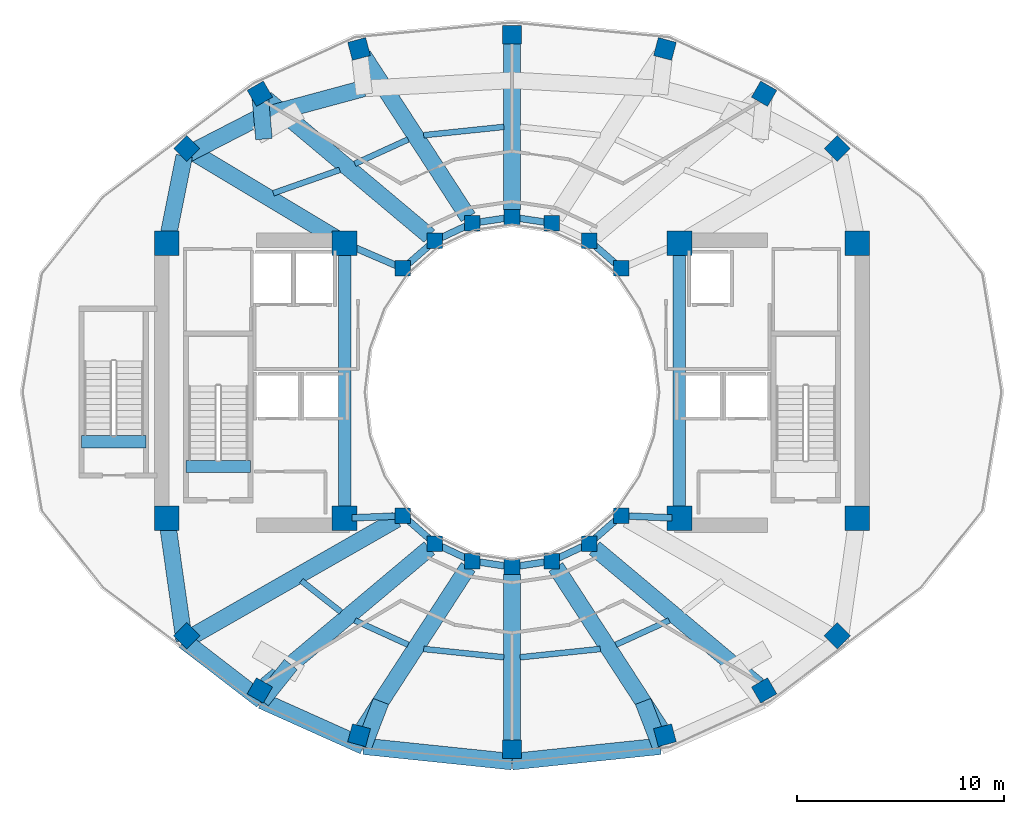
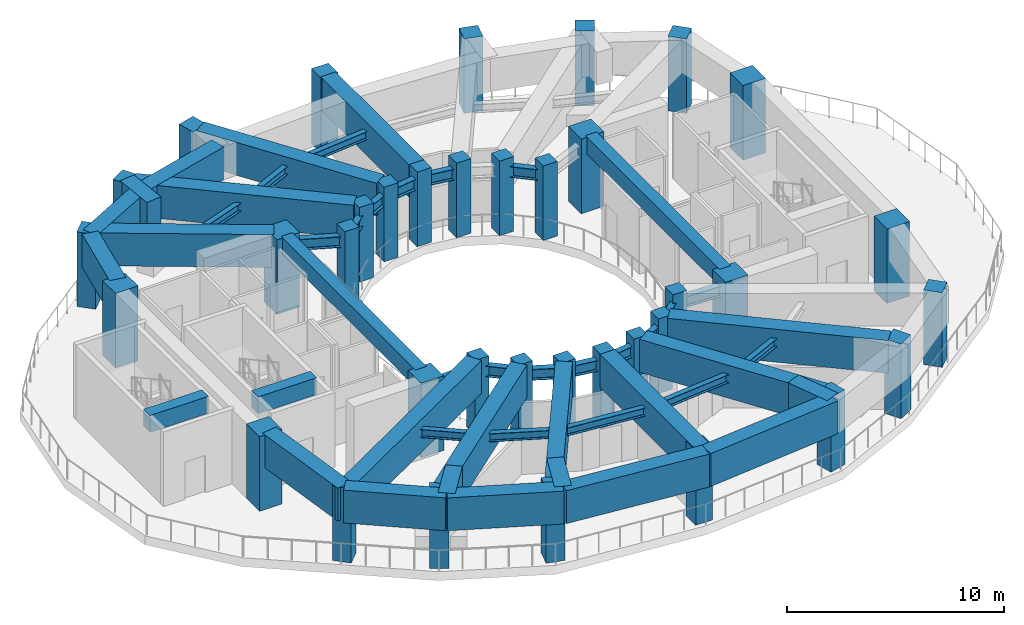
# One storey, part 1 of 9: 48 beams, 36 columns.
"""IFC4 building model written with IfcOpenShell, lengths in metres."""

from ifc_helpers import new_model, si_unit, direction, frame, origin, origin_2d, place, context, subcontext, project, spatial, rectangle, i_section, extrude, material, material_profile, profile_set, type_object, element, save


model = new_model("IFC4")

# Units and contexts
model_context = context("Model", 3, precision=1e-05, world=origin(), true_north=direction((0.0, 1.0)))
body_context = subcontext(model_context, "Body", "Model", "MODEL_VIEW")
ifc_project = project(units=[si_unit("LENGTHUNIT", "METRE"), si_unit("AREAUNIT", "SQUARE_METRE"), si_unit("VOLUMEUNIT", "CUBIC_METRE"), si_unit("PLANEANGLEUNIT", "RADIAN"), si_unit("MASSUNIT", "GRAM", prefix="KILO")], contexts=[model_context])

# Site, building, storey
site_placement = place(None, origin())
site = spatial("IfcSite", under=ifc_project, at=site_placement, CompositionType="ELEMENT")
building_placement = place(site_placement, origin())
building = spatial("IfcBuilding", under=site, at=building_placement, Name="Solvane Sanctuary Tower", CompositionType="ELEMENT")
storey_placement = place(building_placement, frame((0.0, 0.0, 133.199951171875)))
storey = spatial("IfcBuildingStorey", under=building, at=storey_placement, Name="L40", CompositionType="ELEMENT", Elevation=133.199951171875)

# Columns
ifc_material_1 = material(Name="Concrete C50/60", Category="concrete")
ifc_material_profile_1 = material_profile(ifc_material_1, rectangle(XDim=0.75, YDim=0.75, at=origin_2d()), Name="RC750X750")
ifc_profile_set_1 = profile_set([ifc_material_profile_1], Name="Concrete C50/60")
column_type_1 = type_object("IfcColumnType", Name="Column C-RING-Z3 RC750X750", PredefinedType="COLUMN", material=ifc_profile_set_1)
for number, where, z_axis, x_axis, name in (
    (1, (37.27490234375, 28.982177734375, 0.0), (0.0, 0.0, 1.0), (1.0, 0.0, 0.0), "L40 Inner Light-Well Ring Column IC01"),
    (2, (35.72998046875, 30.32666015625, 0.0), (0.0, 0.0, 1.0), (1.0, 0.0, 0.0), "L40 Inner Light-Well Ring Column IC02"),
    (3, (33.930908203125, 31.171630859375, 0.0), (0.0, 0.0, 1.0), (1.0, 0.0, 0.0), "L40 Inner Light-Well Ring Column IC03"),
    (4, (32.0, 31.4599609375, 0.0), (0.0, 0.0, 1.0), (1.0, 0.0, 0.0), "L40 Inner Light-Well Ring Column IC04"),
    (5, (30.069091796875, 31.171630859375, 0.0), (0.0, 0.0, 1.0), (1.0, 0.0, 0.0), "L40 Inner Light-Well Ring Column IC05"),
    (6, (28.27001953125, 30.32666015625, 0.0), (0.0, 0.0, 1.0), (1.0, 0.0, 0.0), "L40 Inner Light-Well Ring Column IC06"),
    (7, (26.72509765625, 28.982177734375, 0.0), (0.0, 0.0, 1.0), (1.0, 0.0, 0.0), "L40 Inner Light-Well Ring Column IC07"),
    (8, (26.72509765625, 17.017822265625, 0.0), (0.0, 0.0, 1.0), (1.0, 0.0, 0.0), "L40 Inner Light-Well Ring Column IC08"),
    (9, (28.27001953125, 15.67333984375, 0.0), (0.0, 0.0, 1.0), (1.0, 0.0, 0.0), "L40 Inner Light-Well Ring Column IC09"),
    (10, (30.069091796875, 14.828369140625, 0.0), (0.0, 0.0, 1.0), (1.0, 0.0, 0.0), "L40 Inner Light-Well Ring Column IC10"),
    (11, (32.0, 14.5400390625, 0.0), (0.0, 0.0, 1.0), (1.0, 0.0, 0.0), "L40 Inner Light-Well Ring Column IC11"),
    (12, (33.930908203125, 14.828369140625, 0.0), (0.0, 0.0, 1.0), (1.0, 0.0, 0.0), "L40 Inner Light-Well Ring Column IC12"),
    (13, (35.72998046875, 15.67333984375, 0.0), (0.0, 0.0, 1.0), (1.0, 0.0, 0.0), "L40 Inner Light-Well Ring Column IC13"),
    (14, (37.27490234375, 17.017822265625, 0.0), (0.0, 0.0, 1.0), (1.0, 0.0, 0.0), "L40 Inner Light-Well Ring Column IC14"),
):
    element("IfcColumn", number, at=place(storey_placement, frame(where, z_axis=z_axis, x_axis=x_axis)), inside=storey, type_object=column_type_1, Name=name, PredefinedType="COLUMN", context=body_context, shape_type="SweptSolid", body=[
        extrude(rectangle(XDim=0.75, YDim=0.75, at=origin_2d()), origin(), (0.0, 0.0, 1.0), 4.199951171875),
    ])
ifc_material_2 = material(Name="Concrete C70/85", Category="concrete")
ifc_material_profile_2 = material_profile(ifc_material_2, rectangle(XDim=1.199951171875, YDim=1.199951171875, at=origin_2d()), Name="RC1200X1200")
ifc_profile_set_2 = profile_set([ifc_material_profile_2], Name="Concrete C70/85")
column_type_2 = type_object("IfcColumnType", Name="Column C-TUBE-Z1 RC1200X1200", PredefinedType="COLUMN", material=ifc_profile_set_2)
for number, where, z_axis, x_axis, name in (
    (15, (15.300048828125, 16.89990234375, 0.0), (0.0, 0.0, 1.0), (1.0, 0.0, 0.0), "L40 Core Corner Column CW1"),
    (16, (23.89990234375, 16.89990234375, 0.0), (0.0, 0.0, 1.0), (1.0, 0.0, 0.0), "L40 Core Corner Column CW2"),
    (17, (23.89990234375, 30.199951171875, 0.0), (0.0, 0.0, 1.0), (1.0, 0.0, 0.0), "L40 Core Corner Column CW3"),
    (18, (15.300048828125, 30.199951171875, 0.0), (0.0, 0.0, 1.0), (1.0, 0.0, 0.0), "L40 Core Corner Column CW4"),
    (19, (40.10009765625, 16.89990234375, 0.0), (0.0, 0.0, 1.0), (1.0, 0.0, 0.0), "L40 Core Corner Column CE1"),
    (20, (48.699951171875, 16.89990234375, 0.0), (0.0, 0.0, 1.0), (1.0, 0.0, 0.0), "L40 Core Corner Column CE2"),
    (21, (48.699951171875, 30.199951171875, 0.0), (0.0, 0.0, 1.0), (1.0, 0.0, 0.0), "L40 Core Corner Column CE3"),
    (22, (40.10009765625, 30.199951171875, 0.0), (0.0, 0.0, 1.0), (1.0, 0.0, 0.0), "L40 Core Corner Column CE4"),
):
    element("IfcColumn", number, at=place(storey_placement, frame(where, z_axis=z_axis, x_axis=x_axis)), inside=storey, type_object=column_type_2, Name=name, PredefinedType="COLUMN", context=body_context, shape_type="SweptSolid", body=[
        extrude(rectangle(XDim=1.199951171875, YDim=1.199951171875, at=origin_2d()), origin(), (0.0, 0.0, 1.0), 4.199951171875),
    ])
ifc_material_3 = material(Name="Concrete C60/75", Category="concrete")
ifc_material_profile_3 = material_profile(ifc_material_3, rectangle(XDim=0.89990234375, YDim=0.89990234375, at=origin_2d()), Name="RC900X900")
ifc_profile_set_3 = profile_set([ifc_material_profile_3], Name="Concrete C60/75")
column_type_3 = type_object("IfcColumnType", Name="Column C-TUBE-Z3 RC900X900", PredefinedType="COLUMN", material=ifc_profile_set_3)
for number, where, z_axis, x_axis, name in (
    (23, (47.734375, 34.7802734375, 0.0), (0.0, 0.0, 1.0), (0.707106781187, 0.707106781187, 0.0), "L40 Perimeter Tube Column TC01"),
    (24, (44.196044921875, 37.431884765625, 0.0), (0.0, 0.0, 1.0), (0.5, 0.866025403784, 0.0), "L40 Perimeter Tube Column TC02"),
    (25, (39.398681640625, 39.59912109375, 0.0), (0.0, 0.0, 1.0), (0.258819045103, 0.965925826289, 0.0), "L40 Perimeter Tube Column TC03"),
    (26, (32.0, 40.280029296875, 0.0), (0.0, 0.0, 1.0), (0.0, 1.0, 0.0), "L40 Perimeter Tube Column TC04"),
    (27, (24.601318359375, 39.59912109375, 0.0), (0.0, 0.0, 1.0), (-0.258819045103, 0.965925826289, 0.0), "L40 Perimeter Tube Column TC05"),
    (28, (19.803955078125, 37.431884765625, 0.0), (0.0, 0.0, 1.0), (-0.5, 0.866025403784, 0.0), "L40 Perimeter Tube Column TC06"),
    (29, (16.265625, 34.7802734375, 0.0), (0.0, 0.0, 1.0), (-0.707106781187, 0.707106781187, 0.0), "L40 Perimeter Tube Column TC07"),
    (30, (16.265625, 11.2197265625, 0.0), (0.0, 0.0, 1.0), (-0.707106781187, -0.707106781187, 0.0), "L40 Perimeter Tube Column TC08"),
    (31, (19.803955078125, 8.568115234375, 0.0), (0.0, 0.0, 1.0), (-0.5, -0.866025403784, 0.0), "L40 Perimeter Tube Column TC09"),
    (32, (24.601318359375, 6.40087890625, 0.0), (0.0, 0.0, 1.0), (-0.258819045103, -0.965925826289, 0.0), "L40 Perimeter Tube Column TC10"),
    (33, (32.0, 5.719970703125, 0.0), (0.0, 0.0, 1.0), (0.0, -1.0, 0.0), "L40 Perimeter Tube Column TC11"),
    (34, (39.398681640625, 6.40087890625, 0.0), (0.0, 0.0, 1.0), (0.258819045103, -0.965925826289, 0.0), "L40 Perimeter Tube Column TC12"),
    (35, (44.196044921875, 8.568115234375, 0.0), (0.0, 0.0, 1.0), (0.5, -0.866025403784, 0.0), "L40 Perimeter Tube Column TC13"),
    (36, (47.734375, 11.2197265625, 0.0), (0.0, 0.0, 1.0), (0.707106781187, -0.707106781187, 0.0), "L40 Perimeter Tube Column TC14"),
):
    element("IfcColumn", number, at=place(storey_placement, frame(where, z_axis=z_axis, x_axis=x_axis)), inside=storey, type_object=column_type_3, Name=name, PredefinedType="COLUMN", context=body_context, shape_type="SweptSolid", body=[
        extrude(rectangle(XDim=0.89990234375, YDim=0.89990234375, at=origin_2d()), origin(), (0.0, 0.0, 1.0), 4.199951171875),
    ])

# Beams
ifc_material_profile_4 = material_profile(ifc_material_2, rectangle(XDim=0.60009765625, YDim=0.949951171875, at=origin_2d()), Name="RC600X950")
ifc_profile_set_4 = profile_set([ifc_material_profile_4], Name="Concrete C70/85")
beam_type_1 = type_object("IfcBeamType", Name="Beam B-COUPLE RC600X950", PredefinedType="LINTEL", material=ifc_profile_set_4)
for number, where, z_axis, x_axis, name in (
    (37, (23.89990234375, 17.35009765625, 3.72509765625), (0.0, 1.0, 0.0), (-1.0, 0.0, 0.0), "L40 West Core Coupling Lintel"),
    (38, (40.10009765625, 17.35009765625, 3.72509765625), (0.0, 1.0, 0.0), (-1.0, 0.0, 0.0), "L40 East Core Coupling Lintel"),
):
    element("IfcBeam", number, at=place(storey_placement, frame(where, z_axis=z_axis, x_axis=x_axis)), inside=storey, type_object=beam_type_1, Name=name, PredefinedType="LINTEL", context=body_context, shape_type="SweptSolid", body=[
        extrude(rectangle(XDim=0.60009765625, YDim=0.949951171875, at=origin_2d()), origin(), (0.0, 0.0, 1.0), 12.39990234375),
    ])
for number, where, z_axis, x_axis, name in (
    (39, (16.22998046875, 19.399169921875, 3.72509765625), (1.0, 0.0, 0.0), (0.0, 1.0, 0.0), "L40 ST-1 Stair Floor Landing Trimmer"),
    (40, (11.169921875, 20.59912109375, 3.72509765625), (1.0, 0.0, 0.0), (0.0, 1.0, 0.0), "L40 ST-3 Stair Floor Landing Trimmer"),
):
    element("IfcBeam", number, at=place(storey_placement, frame(where, z_axis=z_axis, x_axis=x_axis)), inside=storey, type_object=beam_type_1, Name=name, PredefinedType="LINTEL", context=body_context, shape_type="SweptSolid", body=[
        extrude(rectangle(XDim=0.60009765625, YDim=0.949951171875, at=origin_2d()), origin(), (0.0, 0.0, 1.0), 3.1201171875),
    ])
ifc_material_4 = material(Name="Steel ASTM A992 Grade 50", Category="steel")
ifc_material_profile_5 = material_profile(ifc_material_4, i_section(OverallWidth=0.324951171875, OverallDepth=0.615966796875, WebThickness=0.013916015625, FlangeThickness=0.021484375, FilletRadius=0.01611328125, at=origin_2d()), Name="W24X117")
ifc_profile_set_5 = profile_set([ifc_material_profile_5], Name="Steel ASTM A992 Grade 50")
beam_type_2 = type_object("IfcBeamType", Name="Beam B-RING-IN2 W24X117", PredefinedType="BEAM", material=ifc_profile_set_5)
beam_1_placement = place(storey_placement, frame((24.230712890625, 30.0576171875, 3.39013671875), z_axis=(0.918264067649, -0.395968561966, 0.0), x_axis=(0.395968561966, 0.918264067649, 0.0)))
element("IfcBeam", 41, at=beam_1_placement, inside=storey, type_object=beam_type_2, Name="L40 Inner Light-Well Ring Beam CW3-IC07", PredefinedType="BEAM", context=body_context, shape_type="SweptSolid", body=[
    extrude(i_section(OverallWidth=0.324951171875, OverallDepth=0.615966796875, WebThickness=0.013916015625, FlangeThickness=0.021484375, FilletRadius=0.01611328125, at=origin_2d()), origin(), (0.0, 0.0, 1.0), 2.371337890625),
])
beam_2_placement = place(storey_placement, frame((26.9853515625, 29.20849609375, 3.39013671875), z_axis=(0.754311313851, 0.656516901379, 0.0), x_axis=(-0.656516901379, 0.754311313851, 0.0)))
element("IfcBeam", 42, at=beam_2_placement, inside=storey, type_object=beam_type_2, Name="L40 Inner Light-Well Ring Beam IC07-IC06", PredefinedType="BEAM", context=body_context, shape_type="SweptSolid", body=[
    extrude(i_section(OverallWidth=0.324951171875, OverallDepth=0.615966796875, WebThickness=0.013916015625, FlangeThickness=0.021484375, FilletRadius=0.01611328125, at=origin_2d()), origin(), (0.0, 0.0, 1.0), 1.358154296875),
])
beam_3_placement = place(storey_placement, frame((28.582275390625, 30.473388671875, 3.39013671875), z_axis=(0.9051808128, 0.425026700502, 0.0), x_axis=(-0.425026700502, 0.9051808128, 0.0)))
element("IfcBeam", 43, at=beam_3_placement, inside=storey, type_object=beam_type_2, Name="L40 Inner Light-Well Ring Beam IC06-IC05", PredefinedType="BEAM", context=body_context, shape_type="SweptSolid", body=[
    extrude(i_section(OverallWidth=0.324951171875, OverallDepth=0.615966796875, WebThickness=0.013916015625, FlangeThickness=0.021484375, FilletRadius=0.01611328125, at=origin_2d()), origin(), (0.0, 0.0, 1.0), 1.297607421875),
])
for number, where, z_axis, x_axis, name in (
    (44, (30.410400390625, 31.22265625, 3.39013671875), (0.989019905763, 0.147782360259, 0.0), (-0.147782360259, 0.989019905763, 0.0), "L40 Inner Light-Well Ring Beam IC05-IC04"),
    (45, (32.34130859375, 31.4091796875, 3.39013671875), (0.989019905763, -0.147782360259, 0.0), (0.147782360259, 0.989019905763, 0.0), "L40 Inner Light-Well Ring Beam IC04-IC03"),
):
    element("IfcBeam", number, at=place(storey_placement, frame(where, z_axis=z_axis, x_axis=x_axis)), inside=storey, type_object=beam_type_2, Name=name, PredefinedType="BEAM", context=body_context, shape_type="SweptSolid", body=[
        extrude(i_section(OverallWidth=0.324951171875, OverallDepth=0.615966796875, WebThickness=0.013916015625, FlangeThickness=0.021484375, FilletRadius=0.01611328125, at=origin_2d()), origin(), (0.0, 0.0, 1.0), 1.26220703125),
    ])
beam_4_placement = place(storey_placement, frame((35.990234375, 30.10009765625, 3.39013671875), z_axis=(0.754311313851, -0.656516901379, 0.0), x_axis=(0.656516901379, 0.754311313851, 0.0)))
element("IfcBeam", 46, at=beam_4_placement, inside=storey, type_object=beam_type_2, Name="L40 Inner Light-Well Ring Beam IC02-IC01", PredefinedType="BEAM", context=body_context, shape_type="SweptSolid", body=[
    extrude(i_section(OverallWidth=0.324951171875, OverallDepth=0.615966796875, WebThickness=0.013916015625, FlangeThickness=0.021484375, FilletRadius=0.01611328125, at=origin_2d()), origin(), (0.0, 0.0, 1.0), 1.358154296875),
])
beam_5_placement = place(storey_placement, frame((24.259765625, 16.9150390625, 3.39013671875), z_axis=(0.999132674336, 0.041640113759, 0.0), x_axis=(-0.041640113759, 0.999132674336, 0.0)))
element("IfcBeam", 47, at=beam_5_placement, inside=storey, type_object=beam_type_2, Name="L40 Inner Light-Well Ring Beam CW2-IC08", PredefinedType="BEAM", context=body_context, shape_type="SweptSolid", body=[
    extrude(i_section(OverallWidth=0.324951171875, OverallDepth=0.615966796875, WebThickness=0.013916015625, FlangeThickness=0.021484375, FilletRadius=0.01611328125, at=origin_2d()), origin(), (0.0, 0.0, 1.0), 2.12255859375),
])
beam_6_placement = place(storey_placement, frame((26.9853515625, 16.79150390625, 3.39013671875), z_axis=(0.754311313851, -0.656516901379, 0.0), x_axis=(0.656516901379, 0.754311313851, 0.0)))
element("IfcBeam", 48, at=beam_6_placement, inside=storey, type_object=beam_type_2, Name="L40 Inner Light-Well Ring Beam IC08-IC09", PredefinedType="BEAM", context=body_context, shape_type="SweptSolid", body=[
    extrude(i_section(OverallWidth=0.324951171875, OverallDepth=0.615966796875, WebThickness=0.013916015625, FlangeThickness=0.021484375, FilletRadius=0.01611328125, at=origin_2d()), origin(), (0.0, 0.0, 1.0), 1.358154296875),
])
beam_7_placement = place(storey_placement, frame((28.582275390625, 15.526611328125, 3.39013671875), z_axis=(0.9051808128, -0.425026700502, 0.0), x_axis=(0.425026700502, 0.9051808128, 0.0)))
element("IfcBeam", 49, at=beam_7_placement, inside=storey, type_object=beam_type_2, Name="L40 Inner Light-Well Ring Beam IC09-IC10", PredefinedType="BEAM", context=body_context, shape_type="SweptSolid", body=[
    extrude(i_section(OverallWidth=0.324951171875, OverallDepth=0.615966796875, WebThickness=0.013916015625, FlangeThickness=0.021484375, FilletRadius=0.01611328125, at=origin_2d()), origin(), (0.0, 0.0, 1.0), 1.297607421875),
])
for number, where, z_axis, x_axis, name in (
    (50, (30.410400390625, 14.77734375, 3.39013671875), (0.989019905763, -0.147782360259, 0.0), (0.147782360259, 0.989019905763, 0.0), "L40 Inner Light-Well Ring Beam IC10-IC11"),
    (51, (32.34130859375, 14.5908203125, 3.39013671875), (0.989019905763, 0.147782360259, 0.0), (-0.147782360259, 0.989019905763, 0.0), "L40 Inner Light-Well Ring Beam IC11-IC12"),
):
    element("IfcBeam", number, at=place(storey_placement, frame(where, z_axis=z_axis, x_axis=x_axis)), inside=storey, type_object=beam_type_2, Name=name, PredefinedType="BEAM", context=body_context, shape_type="SweptSolid", body=[
        extrude(i_section(OverallWidth=0.324951171875, OverallDepth=0.615966796875, WebThickness=0.013916015625, FlangeThickness=0.021484375, FilletRadius=0.01611328125, at=origin_2d()), origin(), (0.0, 0.0, 1.0), 1.26220703125),
    ])
beam_8_placement = place(storey_placement, frame((34.2431640625, 14.97509765625, 3.39013671875), z_axis=(0.9051808128, 0.425026700502, 0.0), x_axis=(-0.425026700502, 0.9051808128, 0.0)))
element("IfcBeam", 52, at=beam_8_placement, inside=storey, type_object=beam_type_2, Name="L40 Inner Light-Well Ring Beam IC12-IC13", PredefinedType="BEAM", context=body_context, shape_type="SweptSolid", body=[
    extrude(i_section(OverallWidth=0.324951171875, OverallDepth=0.615966796875, WebThickness=0.013916015625, FlangeThickness=0.021484375, FilletRadius=0.01611328125, at=origin_2d()), origin(), (0.0, 0.0, 1.0), 1.297607421875),
])
beam_9_placement = place(storey_placement, frame((35.990234375, 15.89990234375, 3.39013671875), z_axis=(0.754311313851, 0.656516901379, 0.0), x_axis=(-0.656516901379, 0.754311313851, 0.0)))
element("IfcBeam", 53, at=beam_9_placement, inside=storey, type_object=beam_type_2, Name="L40 Inner Light-Well Ring Beam IC13-IC14", PredefinedType="BEAM", context=body_context, shape_type="SweptSolid", body=[
    extrude(i_section(OverallWidth=0.324951171875, OverallDepth=0.615966796875, WebThickness=0.013916015625, FlangeThickness=0.021484375, FilletRadius=0.01611328125, at=origin_2d()), origin(), (0.0, 0.0, 1.0), 1.358154296875),
])
beam_10_placement = place(storey_placement, frame((37.61962890625, 17.00341796875, 3.39013671875), z_axis=(0.999132674336, -0.041640113759, 0.0), x_axis=(0.041640113759, 0.999132674336, 0.0)))
element("IfcBeam", 54, at=beam_10_placement, inside=storey, type_object=beam_type_2, Name="L40 Inner Light-Well Ring Beam IC14-CE1", PredefinedType="BEAM", context=body_context, shape_type="SweptSolid", body=[
    extrude(i_section(OverallWidth=0.324951171875, OverallDepth=0.615966796875, WebThickness=0.013916015625, FlangeThickness=0.021484375, FilletRadius=0.01611328125, at=origin_2d()), origin(), (0.0, 0.0, 1.0), 2.12255859375),
])
ifc_material_profile_6 = material_profile(ifc_material_4, i_section(OverallWidth=0.280029296875, OverallDepth=0.462890625, WebThickness=0.0107421875, FlangeThickness=0.017333984375, FilletRadius=0.013916015625, at=origin_2d()), Name="W18X76")
ifc_profile_set_6 = profile_set([ifc_material_profile_6], Name="Steel ASTM A992 Grade 50")
beam_type_3 = type_object("IfcBeamType", Name="Beam B-SEC-JOIST W18X76", PredefinedType="JOIST", material=ifc_profile_set_6)
beam_11_placement = place(storey_placement, frame((20.45556640625, 32.62109375, 3.466552734375), z_axis=(0.943478341343, 0.331434185649, 0.0), x_axis=(-0.331434185649, 0.943478341343, 0.0)))
element("IfcBeam", 55, at=beam_11_placement, inside=storey, type_object=beam_type_3, Name="L40 Secondary Circumferential Joist 07-06", PredefinedType="JOIST", context=body_context, shape_type="SweptSolid", body=[
    extrude(i_section(OverallWidth=0.280029296875, OverallDepth=0.462890625, WebThickness=0.0107421875, FlangeThickness=0.017333984375, FilletRadius=0.013916015625, at=origin_2d()), origin(), (0.0, 0.0, 1.0), 3.40087890625),
])
beam_12_placement = place(storey_placement, frame((24.396240234375, 34.04345703125, 3.466552734375), z_axis=(0.909675276119, 0.415320228279, 0.0), x_axis=(-0.415320228279, 0.909675276119, 0.0)))
element("IfcBeam", 56, at=beam_12_placement, inside=storey, type_object=beam_type_3, Name="L40 Secondary Circumferential Joist 06-05", PredefinedType="JOIST", context=body_context, shape_type="SweptSolid", body=[
    extrude(i_section(OverallWidth=0.280029296875, OverallDepth=0.462890625, WebThickness=0.0107421875, FlangeThickness=0.017333984375, FilletRadius=0.013916015625, at=origin_2d()), origin(), (0.0, 0.0, 1.0), 2.835693359375),
])
beam_13_placement = place(storey_placement, frame((27.72802734375, 35.42626953125, 3.466552734375), z_axis=(0.994651284808, 0.103289988038, 0.0), x_axis=(-0.103289988038, 0.994651284808, 0.0)))
element("IfcBeam", 57, at=beam_13_placement, inside=storey, type_object=beam_type_3, Name="L40 Secondary Circumferential Joist 05-04", PredefinedType="JOIST", context=body_context, shape_type="SweptSolid", body=[
    extrude(i_section(OverallWidth=0.280029296875, OverallDepth=0.462890625, WebThickness=0.0107421875, FlangeThickness=0.017333984375, FilletRadius=0.013916015625, at=origin_2d()), origin(), (0.0, 0.0, 1.0), 3.89990234375),
])
beam_14_placement = place(storey_placement, frame((21.805908203125, 13.874755859375, 3.466552734375), z_axis=(0.786134524557, -0.618055425751, 0.0), x_axis=(0.618055425751, 0.786134524557, 0.0)))
element("IfcBeam", 58, at=beam_14_placement, inside=storey, type_object=beam_type_3, Name="L40 Secondary Circumferential Joist 08-09", PredefinedType="JOIST", context=body_context, shape_type="SweptSolid", body=[
    extrude(i_section(OverallWidth=0.280029296875, OverallDepth=0.462890625, WebThickness=0.0107421875, FlangeThickness=0.017333984375, FilletRadius=0.013916015625, at=origin_2d()), origin(), (0.0, 0.0, 1.0), 2.443115234375),
])
beam_15_placement = place(storey_placement, frame((24.396240234375, 11.95654296875, 3.466552734375), z_axis=(0.909675276119, -0.415320228279, 0.0), x_axis=(0.415320228279, 0.909675276119, 0.0)))
element("IfcBeam", 59, at=beam_15_placement, inside=storey, type_object=beam_type_3, Name="L40 Secondary Circumferential Joist 09-10", PredefinedType="JOIST", context=body_context, shape_type="SweptSolid", body=[
    extrude(i_section(OverallWidth=0.280029296875, OverallDepth=0.462890625, WebThickness=0.0107421875, FlangeThickness=0.017333984375, FilletRadius=0.013916015625, at=origin_2d()), origin(), (0.0, 0.0, 1.0), 2.835693359375),
])
beam_16_placement = place(storey_placement, frame((27.72802734375, 10.57373046875, 3.466552734375), z_axis=(0.994651284808, -0.103289988038, 0.0), x_axis=(0.103289988038, 0.994651284808, 0.0)))
element("IfcBeam", 60, at=beam_16_placement, inside=storey, type_object=beam_type_3, Name="L40 Secondary Circumferential Joist 10-11", PredefinedType="JOIST", context=body_context, shape_type="SweptSolid", body=[
    extrude(i_section(OverallWidth=0.280029296875, OverallDepth=0.462890625, WebThickness=0.0107421875, FlangeThickness=0.017333984375, FilletRadius=0.013916015625, at=origin_2d()), origin(), (0.0, 0.0, 1.0), 3.89990234375),
])
beam_17_placement = place(storey_placement, frame((32.392822265625, 10.1708984375, 3.466552734375), z_axis=(0.994650616878, 0.103296419804, 0.0), x_axis=(-0.103296419804, 0.994650616878, 0.0)))
element("IfcBeam", 61, at=beam_17_placement, inside=storey, type_object=beam_type_3, Name="L40 Secondary Circumferential Joist 11-12", PredefinedType="JOIST", context=body_context, shape_type="SweptSolid", body=[
    extrude(i_section(OverallWidth=0.280029296875, OverallDepth=0.462890625, WebThickness=0.0107421875, FlangeThickness=0.017333984375, FilletRadius=0.013916015625, at=origin_2d()), origin(), (0.0, 0.0, 1.0), 3.899658203125),
])
beam_18_placement = place(storey_placement, frame((37.02392578125, 10.77880859375, 3.466552734375), z_axis=(0.909690124905, 0.415287703467, 0.0), x_axis=(-0.415287703467, 0.909690124905, 0.0)))
element("IfcBeam", 62, at=beam_18_placement, inside=storey, type_object=beam_type_3, Name="L40 Secondary Circumferential Joist 12-13", PredefinedType="JOIST", context=body_context, shape_type="SweptSolid", body=[
    extrude(i_section(OverallWidth=0.280029296875, OverallDepth=0.462890625, WebThickness=0.0107421875, FlangeThickness=0.017333984375, FilletRadius=0.013916015625, at=origin_2d()), origin(), (0.0, 0.0, 1.0), 2.8359375),
])
ifc_material_profile_7 = material_profile(ifc_material_2, rectangle(XDim=0.800048828125, YDim=1.85009765625, at=origin_2d()), Name="RC800X1850")
ifc_profile_set_7 = profile_set([ifc_material_profile_7], Name="Concrete C70/85")
beam_type_4 = type_object("IfcBeamType", Name="Beam B-XFER-BLK RC800X1850", PredefinedType="BEAM", material=ifc_profile_set_7)
beam_19_placement = place(storey_placement, frame((32.0, 31.804931640625, 3.275146484375), z_axis=(0.0, 1.0, 0.0), x_axis=(-1.0, 0.0, 0.0)))
element("IfcBeam", 63, at=beam_19_placement, inside=storey, type_object=beam_type_4, Name="L40 Block-Shift Radial Transfer Girder 04A", PredefinedType="BEAM", context=body_context, shape_type="SweptSolid", body=[
    extrude(rectangle(XDim=0.800048828125, YDim=1.85009765625, at=origin_2d()), origin(), (0.0, 0.0, 1.0), 8.14501953125),
])
beam_20_placement = place(storey_placement, frame((29.88134765625, 31.461181640625, 3.275146484375), z_axis=(-0.544283681382, 0.838901230289, 0.0), x_axis=(-0.838901230289, -0.544283681382, 0.0)))
element("IfcBeam", 64, at=beam_20_placement, inside=storey, type_object=beam_type_4, Name="L40 Block-Shift Radial Transfer Girder 05A", PredefinedType="BEAM", context=body_context, shape_type="SweptSolid", body=[
    extrude(rectangle(XDim=0.800048828125, YDim=1.85009765625, at=origin_2d()), origin(), (0.0, 0.0, 1.0), 9.330810546875),
])
beam_21_placement = place(storey_placement, frame((28.005615234375, 30.54833984375, 3.275146484375), z_axis=(-0.765969062049, 0.642877434651, 0.0), x_axis=(-0.642877434651, -0.765969062049, 0.0)))
element("IfcBeam", 65, at=beam_21_placement, inside=storey, type_object=beam_type_4, Name="L40 Block-Shift Radial Transfer Girder 06A", PredefinedType="BEAM", context=body_context, shape_type="SweptSolid", body=[
    extrude(rectangle(XDim=0.800048828125, YDim=1.85009765625, at=origin_2d()), origin(), (0.0, 0.0, 1.0), 10.33740234375),
])
beam_22_placement = place(storey_placement, frame((19.80859375, 37.382080078125, 3.275146484375), z_axis=(0.090853169012, -0.995864298828, 0.0), x_axis=(0.995864298828, 0.090853169012, 0.0)))
element("IfcBeam", 66, at=beam_22_placement, inside=storey, type_object=beam_type_4, Name="L40 Block-Shift Transfer Tie 06B", PredefinedType="BEAM", context=body_context, shape_type="SweptSolid", body=[
    extrude(rectangle(XDim=0.800048828125, YDim=1.85009765625, at=origin_2d()), origin(), (0.0, 0.0, 1.0), 2.149658203125),
])
beam_23_placement = place(storey_placement, frame((23.59130859375, 30.38525390625, 3.275146484375), z_axis=(-0.857508662656, 0.514469526279, 0.0), x_axis=(-0.514469526279, -0.857508662656, 0.0)))
element("IfcBeam", 67, at=beam_23_placement, inside=storey, type_object=beam_type_4, Name="L40 Block-Shift Radial Transfer Girder 07A", PredefinedType="BEAM", context=body_context, shape_type="SweptSolid", body=[
    extrude(rectangle(XDim=0.800048828125, YDim=1.85009765625, at=origin_2d()), origin(), (0.0, 0.0, 1.0), 8.212890625),
])
beam_24_placement = place(storey_placement, frame((26.425537109375, 16.8466796875, 3.275146484375), z_axis=(-0.868165750981, -0.496274348344, 0.0), x_axis=(0.496274348344, -0.868165750981, 0.0)))
element("IfcBeam", 68, at=beam_24_placement, inside=storey, type_object=beam_type_4, Name="L40 Block-Shift Radial Transfer Girder 08A", PredefinedType="BEAM", context=body_context, shape_type="SweptSolid", body=[
    extrude(rectangle(XDim=0.800048828125, YDim=1.85009765625, at=origin_2d()), origin(), (0.0, 0.0, 1.0), 11.843505859375),
])
beam_25_placement = place(storey_placement, frame((28.005615234375, 15.45166015625, 3.275146484375), z_axis=(-0.765969062049, -0.642877434651, 0.0), x_axis=(0.642877434651, -0.765969062049, 0.0)))
element("IfcBeam", 69, at=beam_25_placement, inside=storey, type_object=beam_type_4, Name="L40 Block-Shift Radial Transfer Girder 09A", PredefinedType="BEAM", context=body_context, shape_type="SweptSolid", body=[
    extrude(rectangle(XDim=0.800048828125, YDim=1.85009765625, at=origin_2d()), origin(), (0.0, 0.0, 1.0), 10.33740234375),
])
beam_26_placement = place(storey_placement, frame((21.297607421875, 9.821533203125, 3.275146484375), z_axis=(-0.623643533192, -0.781708861091, 0.0), x_axis=(0.781708861091, -0.623643533192, 0.0)))
element("IfcBeam", 70, at=beam_26_placement, inside=storey, type_object=beam_type_4, Name="L40 Block-Shift Transfer Tie 09B", PredefinedType="BEAM", context=body_context, shape_type="SweptSolid", body=[
    extrude(rectangle(XDim=0.800048828125, YDim=1.85009765625, at=origin_2d()), origin(), (0.0, 0.0, 1.0), 2.238037109375),
])
beam_27_placement = place(storey_placement, frame((29.88134765625, 14.538818359375, 3.275146484375), z_axis=(-0.544283681382, -0.838901230289, 0.0), x_axis=(0.838901230289, -0.544283681382, 0.0)))
element("IfcBeam", 71, at=beam_27_placement, inside=storey, type_object=beam_type_4, Name="L40 Block-Shift Radial Transfer Girder 10A", PredefinedType="BEAM", context=body_context, shape_type="SweptSolid", body=[
    extrude(rectangle(XDim=0.800048828125, YDim=1.85009765625, at=origin_2d()), origin(), (0.0, 0.0, 1.0), 9.330810546875),
])
beam_28_placement = place(storey_placement, frame((25.66259765625, 8.03662109375, 3.275146484375), z_axis=(-0.361135302568, -0.932513427914, 0.0), x_axis=(0.932513427914, -0.361135302568, 0.0)))
element("IfcBeam", 72, at=beam_28_placement, inside=storey, type_object=beam_type_4, Name="L40 Block-Shift Transfer Tie 10B", PredefinedType="BEAM", context=body_context, shape_type="SweptSolid", body=[
    extrude(rectangle(XDim=0.800048828125, YDim=1.85009765625, at=origin_2d()), origin(), (0.0, 0.0, 1.0), 2.328369140625),
])
beam_29_placement = place(storey_placement, frame((32.0, 14.195068359375, 3.275146484375), z_axis=(0.0, -1.0, 0.0), x_axis=(1.0, 0.0, 0.0)))
element("IfcBeam", 73, at=beam_29_placement, inside=storey, type_object=beam_type_4, Name="L40 Block-Shift Radial Transfer Girder 11A", PredefinedType="BEAM", context=body_context, shape_type="SweptSolid", body=[
    extrude(rectangle(XDim=0.800048828125, YDim=1.85009765625, at=origin_2d()), origin(), (0.0, 0.0, 1.0), 9.074951171875),
])
beam_30_placement = place(storey_placement, frame((34.11865234375, 14.538818359375, 3.275146484375), z_axis=(0.544283681382, -0.838901230289, 0.0), x_axis=(0.838901230289, 0.544283681382, 0.0)))
element("IfcBeam", 74, at=beam_30_placement, inside=storey, type_object=beam_type_4, Name="L40 Block-Shift Radial Transfer Girder 12A", PredefinedType="BEAM", context=body_context, shape_type="SweptSolid", body=[
    extrude(rectangle(XDim=0.800048828125, YDim=1.85009765625, at=origin_2d()), origin(), (0.0, 0.0, 1.0), 9.330810546875),
])
beam_31_placement = place(storey_placement, frame((38.33740234375, 8.03662109375, 3.275146484375), z_axis=(0.361135302568, -0.932513427914, 0.0), x_axis=(0.932513427914, 0.361135302568, 0.0)))
element("IfcBeam", 75, at=beam_31_placement, inside=storey, type_object=beam_type_4, Name="L40 Block-Shift Transfer Tie 12B", PredefinedType="BEAM", context=body_context, shape_type="SweptSolid", body=[
    extrude(rectangle(XDim=0.800048828125, YDim=1.85009765625, at=origin_2d()), origin(), (0.0, 0.0, 1.0), 2.328369140625),
])
beam_32_placement = place(storey_placement, frame((35.994384765625, 15.45166015625, 3.275146484375), z_axis=(0.765969062049, -0.642877434651, 0.0), x_axis=(0.642877434651, 0.765969062049, 0.0)))
element("IfcBeam", 76, at=beam_32_placement, inside=storey, type_object=beam_type_4, Name="L40 Block-Shift Radial Transfer Girder 13A", PredefinedType="BEAM", context=body_context, shape_type="SweptSolid", body=[
    extrude(rectangle(XDim=0.800048828125, YDim=1.85009765625, at=origin_2d()), origin(), (0.0, 0.0, 1.0), 10.33740234375),
])
beam_33_placement = place(storey_placement, frame((15.37060546875, 30.552978515625, 3.275146484375), z_axis=(0.19562876256, 0.980678024256, 0.0), x_axis=(-0.980678024256, 0.19562876256, 0.0)))
element("IfcBeam", 77, at=beam_33_placement, inside=storey, type_object=beam_type_4, Name="L40 Perimeter Step Transfer Ring CW4-NTC07", PredefinedType="BEAM", context=body_context, shape_type="SweptSolid", body=[
    extrude(rectangle(XDim=0.800048828125, YDim=1.85009765625, at=origin_2d()), origin(), (0.0, 0.0, 1.0), 3.949951171875),
])
beam_34_placement = place(storey_placement, frame((16.143310546875, 34.426513671875, 3.275146484375), z_axis=(0.889297870953, 0.457328434189, 0.0), x_axis=(-0.457328434189, 0.889297870953, 0.0)))
element("IfcBeam", 78, at=beam_34_placement, inside=storey, type_object=beam_type_4, Name="L40 Perimeter Step Transfer Ring NTC07-NTC06", PredefinedType="BEAM", context=body_context, shape_type="SweptSolid", body=[
    extrude(rectangle(XDim=0.800048828125, YDim=1.85009765625, at=origin_2d()), origin(), (0.0, 0.0, 1.0), 4.226318359375),
])
beam_35_placement = place(storey_placement, frame((19.90185546875, 36.359375, 3.275146484375), z_axis=(0.965477774792, 0.260485443705, 0.0), x_axis=(-0.260485443705, 0.965477774792, 0.0)))
element("IfcBeam", 79, at=beam_35_placement, inside=storey, type_object=beam_type_4, Name="L40 Perimeter Step Transfer Ring NTC06-NTC05", PredefinedType="BEAM", context=body_context, shape_type="SweptSolid", body=[
    extrude(rectangle(XDim=0.800048828125, YDim=1.85009765625, at=origin_2d()), origin(), (0.0, 0.0, 1.0), 5.095947265625),
])
beam_36_placement = place(storey_placement, frame((15.3505859375, 16.543701171875, 3.275146484375), z_axis=(0.1407839619, -0.990040340628, 0.0), x_axis=(0.990040340628, 0.1407839619, 0.0)))
element("IfcBeam", 80, at=beam_36_placement, inside=storey, type_object=beam_type_4, Name="L40 Perimeter Step Transfer Ring CW1-NTC08", PredefinedType="BEAM", context=body_context, shape_type="SweptSolid", body=[
    extrude(rectangle(XDim=0.800048828125, YDim=1.85009765625, at=origin_2d()), origin(), (0.0, 0.0, 1.0), 5.630859375),
])
beam_37_placement = place(storey_placement, frame((16.143310546875, 10.968994140625, 3.275146484375), z_axis=(0.792034554649, -0.610476260179, 0.0), x_axis=(0.610476260179, 0.792034554649, 0.0)))
element("IfcBeam", 81, at=beam_37_placement, inside=storey, type_object=beam_type_4, Name="L40 Perimeter Step Transfer Ring NTC08-NTC09", PredefinedType="BEAM", context=body_context, shape_type="SweptSolid", body=[
    extrude(rectangle(XDim=0.800048828125, YDim=1.85009765625, at=origin_2d()), origin(), (0.0, 0.0, 1.0), 4.745361328125),
])
beam_38_placement = place(storey_placement, frame((19.90185546875, 8.072021484375, 3.275146484375), z_axis=(0.912435879272, -0.409219704092, 0.0), x_axis=(0.409219704092, 0.912435879272, 0.0)))
element("IfcBeam", 82, at=beam_38_placement, inside=storey, type_object=beam_type_4, Name="L40 Perimeter Step Transfer Ring NTC09-NTC10", PredefinedType="BEAM", context=body_context, shape_type="SweptSolid", body=[
    extrude(rectangle(XDim=0.800048828125, YDim=1.85009765625, at=origin_2d()), origin(), (0.0, 0.0, 1.0), 5.39208984375),
])
for number, where, z_axis, x_axis, name in (
    (83, (24.82177734375, 5.865478515625, 3.275146484375), (0.994652199756, -0.10328117699, 0.0), (0.10328117699, 0.994652199756, 0.0), "L40 Perimeter Step Transfer Ring NTC10-NTC11"),
    (84, (32.0, 5.1201171875, 3.275146484375), (0.994652199756, 0.10328117699, 0.0), (-0.10328117699, 0.994652199756, 0.0), "L40 Perimeter Step Transfer Ring NTC11-NTC12"),
):
    element("IfcBeam", number, at=place(storey_placement, frame(where, z_axis=z_axis, x_axis=x_axis)), inside=storey, type_object=beam_type_4, Name=name, PredefinedType="BEAM", context=body_context, shape_type="SweptSolid", body=[
        extrude(rectangle(XDim=0.800048828125, YDim=1.85009765625, at=origin_2d()), origin(), (0.0, 0.0, 1.0), 7.216796875),
    ])

save(model, "model.ifc")
